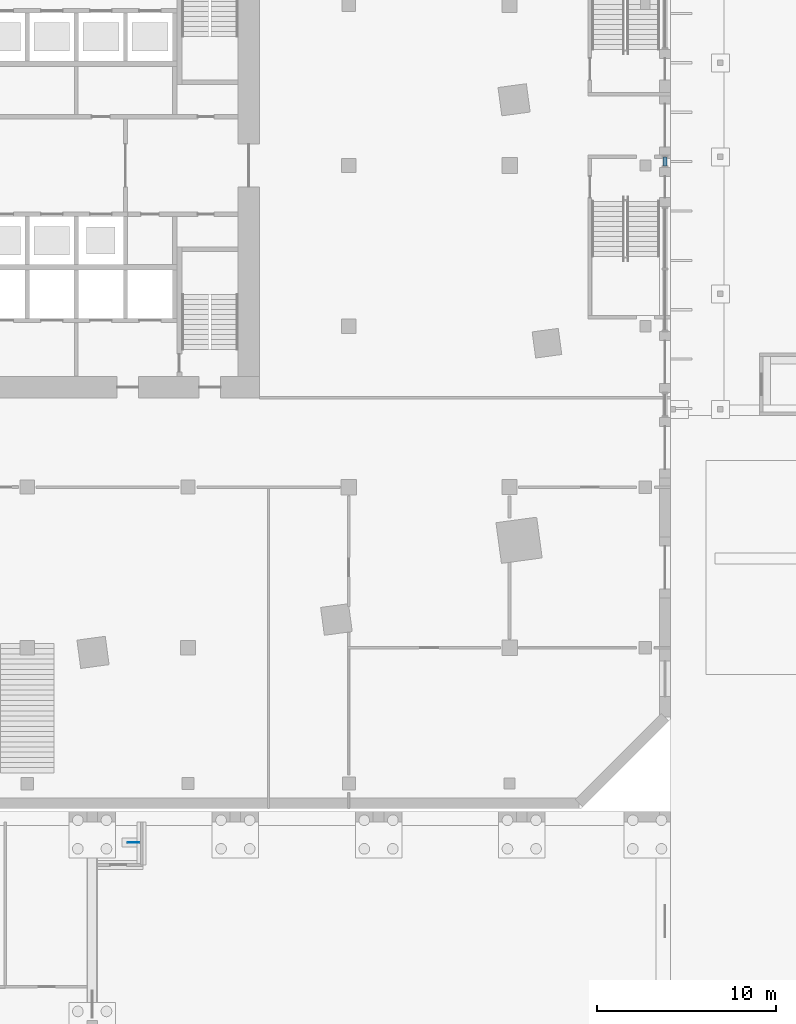
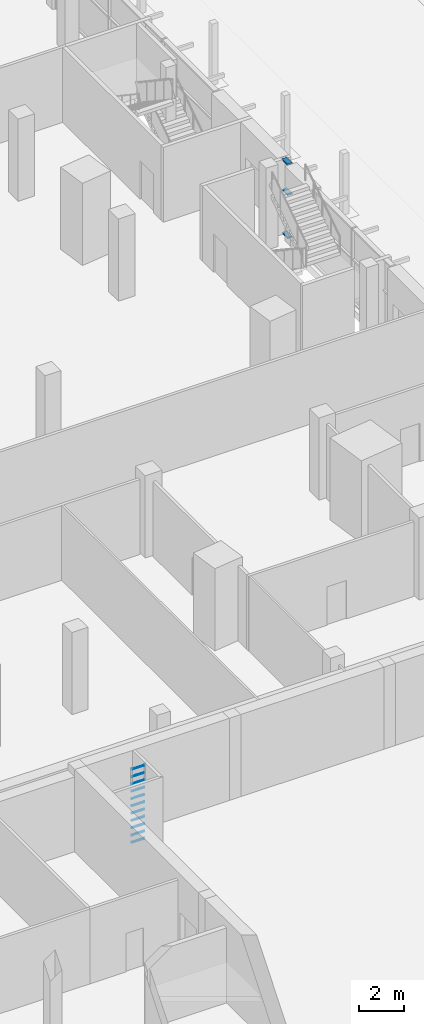
# One storey, part 14 of 42: 14 members, 1 element without a shape of its own.
"""IFC4 building model written with IfcOpenShell, lengths in metres."""

from ifc_helpers import new_model, si_unit, direction, frame, origin, origin_2d, place, context, subcontext, project, spatial, rectangle, extrude, material, material_profile, profile_set, type_object, element, aggregate, save


model = new_model("IFC4")

# Units and contexts
model_context = context("Model", 3, precision=1e-05, world=origin(), true_north=direction((0.0, 1.0)))
body_context = subcontext(model_context, "Body", "Model", "MODEL_VIEW")
ifc_project = project(units=[si_unit("LENGTHUNIT", "METRE"), si_unit("AREAUNIT", "SQUARE_METRE"), si_unit("VOLUMEUNIT", "CUBIC_METRE"), si_unit("PLANEANGLEUNIT", "RADIAN"), si_unit("MASSUNIT", "GRAM", prefix="KILO")], contexts=[model_context])

# Site, building, storey
site_placement = place(None, origin())
site = spatial("IfcSite", under=ifc_project, at=site_placement, CompositionType="ELEMENT")
building_placement = place(site_placement, origin())
building = spatial("IfcBuilding", under=site, at=building_placement, Name="Dilmun Exchange Tower", CompositionType="ELEMENT")
storey_placement = place(building_placement, origin())
storey = spatial("IfcBuildingStorey", under=building, at=storey_placement, Name="L00", CompositionType="ELEMENT", Elevation=0.0)

# Curtain wall, members
ifc_material_1 = material(Name="Anodised aluminium and clear glass", Category="aluminium")
curtain_wall_type = type_object("IfcCurtainWallType", Name="Concourse glazing", PredefinedType="NOTDEFINED", material=ifc_material_1)
curtain_wall_placement = place(storey_placement, origin())
curtain_wall = element("IfcCurtainWall", 1, at=curtain_wall_placement, inside=storey, type_object=curtain_wall_type, Name="Concourse glazing run CG3.9", PredefinedType="NOTDEFINED")
ifc_material_2 = material(Name="Anodised aluminium", Category="aluminium")
ifc_material_profile_1 = material_profile(ifc_material_2, rectangle(XDim=0.25, YDim=0.080078125, at=origin_2d()), Name="AL 80x250")
ifc_profile_set_1 = profile_set([ifc_material_profile_1], Name="Anodised aluminium")
member_type_1 = type_object("IfcMemberType", Name="Concourse glazing transom 80 x 250", PredefinedType="USERDEFINED", material=ifc_profile_set_1)
member_1_placement = place(storey_placement, frame((35.699951171875, -0.02001953125, 0.0400390625), z_axis=(0.0, 1.0, 0.0), x_axis=(-1.0, 0.0, 0.0)))
member_1 = element("IfcMember", 2, at=member_1_placement, type_object=member_type_1, Name="CG3.9 transom 1.1", ObjectType="TRANSOM", PredefinedType="USERDEFINED", context=body_context, shape_type="SweptSolid", body=[
    extrude(rectangle(XDim=0.25, YDim=0.080078125, at=origin_2d()), origin(), (0.0, 0.0, 1.0), 0.489990234375),
])
member_2_placement = place(storey_placement, frame((35.699951171875, -0.02001953125, 2.39990234375), z_axis=(0.0, 1.0, 0.0), x_axis=(-1.0, 0.0, 0.0)))
member_2 = element("IfcMember", 3, at=member_2_placement, type_object=member_type_1, Name="CG3.9 transom 1.2", ObjectType="TRANSOM", PredefinedType="USERDEFINED", context=body_context, shape_type="SweptSolid", body=[
    extrude(rectangle(XDim=0.25, YDim=0.080078125, at=origin_2d()), origin(), (0.0, 0.0, 1.0), 0.489990234375),
])
member_3_placement = place(storey_placement, frame((35.699951171875, -0.02001953125, 4.06005859375), z_axis=(0.0, 1.0, 0.0), x_axis=(-1.0, 0.0, 0.0)))
member_3 = element("IfcMember", 4, at=member_3_placement, type_object=member_type_1, Name="CG3.9 transom 1.3", ObjectType="TRANSOM", PredefinedType="USERDEFINED", context=body_context, shape_type="SweptSolid", body=[
    extrude(rectangle(XDim=0.25, YDim=0.080078125, at=origin_2d()), origin(), (0.0, 0.0, 1.0), 0.489990234375),
])
aggregate(curtain_wall, [member_1, member_2, member_3])

# Members
ifc_material_3 = material(Name="Steel S355", Category="steel")
ifc_material_profile_2 = material_profile(ifc_material_3, rectangle(XDim=0.030029296875, YDim=0.030029296875, at=origin_2d()), Name="30 x 30")
ifc_profile_set_2 = profile_set([ifc_material_profile_2], Name="Steel S355")
member_type_2 = type_object("IfcMemberType", Name="School roof ladder rung 30", PredefinedType="USERDEFINED", material=ifc_profile_set_2)
for number, where, z_axis, x_axis, name in (
    (5, (5.633056640625, -37.89990234375, 0.39990234375), (1.0, 0.0, 0.0), (0.0, 1.0, 0.0), "School roof ladder rung"),
    (6, (5.633056640625, -37.89990234375, 0.800048828125), (1.0, 0.0, 0.0), (0.0, 1.0, 0.0), "School roof ladder rung"),
    (7, (5.633056640625, -37.89990234375, 1.199951171875), (1.0, 0.0, 0.0), (0.0, 1.0, 0.0), "School roof ladder rung"),
    (8, (5.633056640625, -37.89990234375, 1.60009765625), (1.0, 0.0, 0.0), (0.0, 1.0, 0.0), "School roof ladder rung"),
    (9, (5.633056640625, -37.89990234375, 2.0), (1.0, 0.0, 0.0), (0.0, 1.0, 0.0), "School roof ladder rung"),
    (10, (5.633056640625, -37.89990234375, 2.39990234375), (1.0, 0.0, 0.0), (0.0, 1.0, 0.0), "School roof ladder rung"),
    (11, (5.633056640625, -37.89990234375, 2.800048828125), (1.0, 0.0, 0.0), (0.0, 1.0, 0.0), "School roof ladder rung"),
    (12, (5.633056640625, -37.89990234375, 3.199951171875), (1.0, 0.0, 0.0), (0.0, 1.0, 0.0), "School roof ladder rung"),
    (13, (5.633056640625, -37.89990234375, 3.60009765625), (1.0, 0.0, 0.0), (0.0, 1.0, 0.0), "School roof ladder rung"),
    (14, (5.633056640625, -37.89990234375, 4.0), (1.0, 0.0, 0.0), (0.0, 1.0, 0.0), "School roof ladder rung"),
    (15, (5.633056640625, -37.89990234375, 4.39990234375), (1.0, 0.0, 0.0), (0.0, 1.0, 0.0), "School roof ladder rung"),
):
    element("IfcMember", number, at=place(storey_placement, frame(where, z_axis=z_axis, x_axis=x_axis)), inside=storey, type_object=member_type_2, Name=name, ObjectType="LADDER", PredefinedType="USERDEFINED", context=body_context, shape_type="SweptSolid", body=[
        extrude(rectangle(XDim=0.030029296875, YDim=0.030029296875, at=origin_2d()), origin(), (0.0, 0.0, 1.0), 0.64990234375),
    ])

save(model, "model.ifc")
